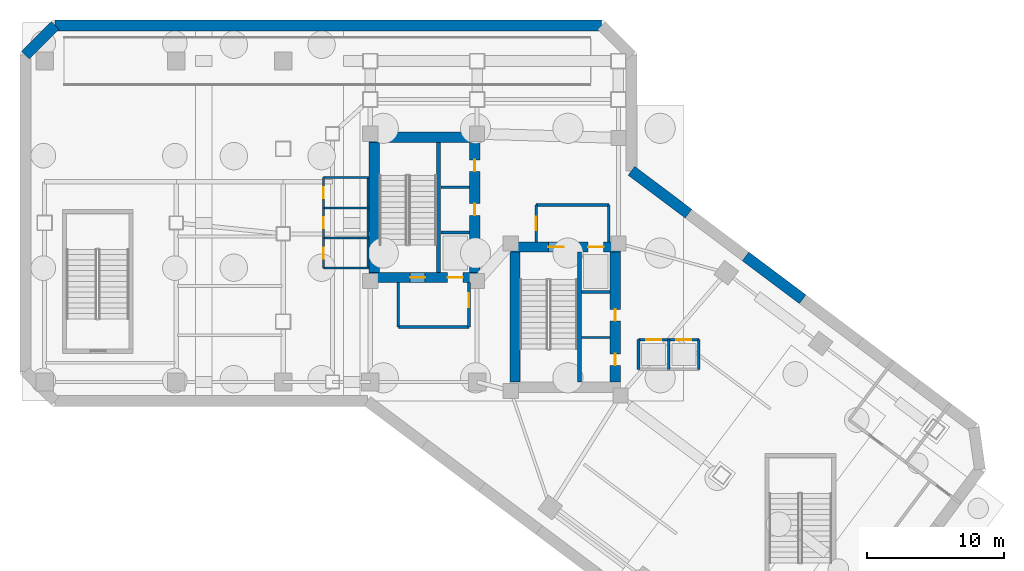
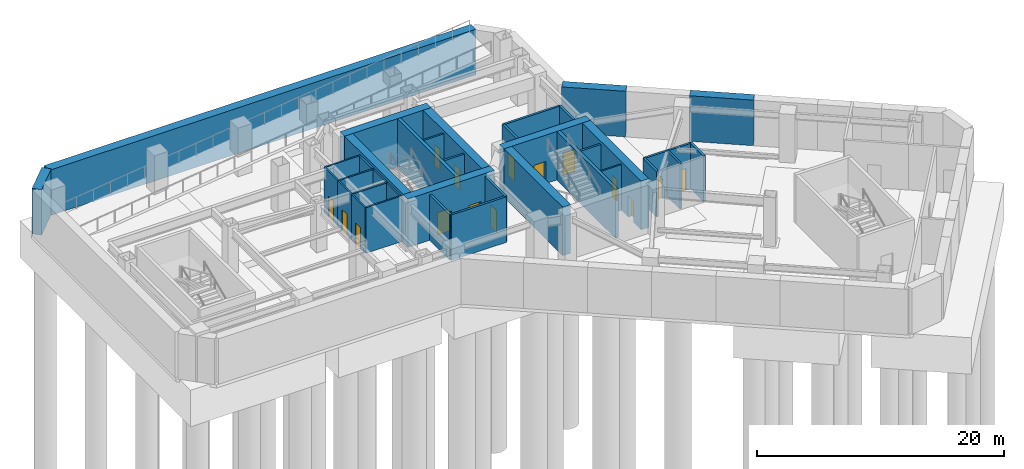
# One storey, part 4 of 9: 35 walls, 15 doors, 15 openings.
"""IFC4 building model written with IfcOpenShell, lengths in metres."""

from ifc_helpers import new_model, si_unit, direction, frame, frame_2d, origin, place, context, subcontext, project, spatial, rectangle, extrude, material, layer, layer_set, type_object, element, fill, save


model = new_model("IFC4")

# Units and contexts
model_context = context("Model", 3, precision=1e-05, world=origin(), true_north=direction((0.0, 1.0)))
body_context = subcontext(model_context, "Body", "Model", "MODEL_VIEW")
ifc_project = project(units=[si_unit("LENGTHUNIT", "METRE"), si_unit("AREAUNIT", "SQUARE_METRE"), si_unit("VOLUMEUNIT", "CUBIC_METRE"), si_unit("PLANEANGLEUNIT", "RADIAN"), si_unit("MASSUNIT", "GRAM", prefix="KILO")], contexts=[model_context])

# Site, building, storey
site_placement = place(None, origin())
site = spatial("IfcSite", under=ifc_project, at=site_placement, CompositionType="ELEMENT")
building_placement = place(site_placement, origin())
building = spatial("IfcBuilding", under=site, at=building_placement, Name="Hatsunagi Terrace Concourse", CompositionType="ELEMENT")
storey_placement = place(building_placement, frame((0.0, 0.0, -9.60009765625)))
storey = spatial("IfcBuildingStorey", under=building, at=storey_placement, Name="B02", CompositionType="ELEMENT", Elevation=-9.60009765625)

# Walls
ifc_material_1 = material(Name="Concrete Fc48", Category="concrete")
ifc_layer_1 = layer(ifc_material_1, 0.800048828125)
ifc_layer_set_1 = layer_set([ifc_layer_1], Name="BasementRetainingWall_Fc48_800")
wall_type_1 = type_object("IfcWallType", Name="BasementRetainingWall_Fc48_800", PredefinedType="SHEAR", material=ifc_layer_set_1)
wall_1_placement = place(storey_placement, frame((44.60009765625, 40.60009765625, 0.0), z_axis=(0.0, 0.0, 1.0), x_axis=(0.799983113496, -0.600022514679, 0.0)))
element("IfcWall", 1, at=wall_1_placement, inside=storey, type_object=wall_type_1, Name="Basement Retaining Wall B02-01-1", PredefinedType="SHEAR", context=body_context, shape_type="SweptSolid", body=[
    extrude(rectangle(XDim=5.204833984375, YDim=0.800048828125, at=frame_2d((2.6025390625, 0.0))), origin(), (0.0, 0.0, 1.0), 4.5),
])
wall_2_placement = place(storey_placement, frame((52.928955078125, 34.35302734375, 0.0), z_axis=(0.0, 0.0, 1.0), x_axis=(0.80006752701, -0.59990995343, 0.0)))
element("IfcWall", 2, at=wall_2_placement, inside=storey, type_object=wall_type_1, Name="Basement Retaining Wall B02-01-3", PredefinedType="SHEAR", context=body_context, shape_type="SweptSolid", body=[
    extrude(rectangle(XDim=5.205810546875, YDim=0.800048828125, at=frame_2d((2.60302734375, 0.0))), origin(), (0.0, 0.0, 1.0), 4.5),
])
wall_3_placement = place(storey_placement, frame((0.39990234375, 49.033935546875, 0.0), z_axis=(0.0, 0.0, 1.0), x_axis=(0.707106781187, 0.707106781187, 0.0)))
element("IfcWall", 3, at=wall_3_placement, inside=storey, type_object=wall_type_1, Name="Basement Retaining Wall B02-09", PredefinedType="SHEAR", context=body_context, shape_type="SweptSolid", body=[
    extrude(rectangle(XDim=3.063232421875, YDim=0.800048828125, at=frame_2d((1.53173828125, 0.0))), origin(), (0.0, 0.0, 1.0), 4.5),
])
wall_4_placement = place(storey_placement, frame((2.56591796875, 51.199951171875, 0.0), z_axis=(0.0, 0.0, 1.0), x_axis=(1.0, 0.0, 0.0)))
element("IfcWall", 4, at=wall_4_placement, inside=storey, type_object=wall_type_1, Name="Basement Retaining Wall B02-10", PredefinedType="SHEAR", context=body_context, shape_type="SweptSolid", body=[
    extrude(rectangle(XDim=39.8681640625, YDim=0.800048828125, at=frame_2d((19.93408203125, 0.0))), origin(), (0.0, 0.0, 1.0), 4.5),
])

# Wall, openings, doors
ifc_material_2 = material(Name="Concrete Fc60", Category="concrete")
ifc_layer_2 = layer(ifc_material_2, 0.75)
ifc_layer_set_2 = layer_set([ifc_layer_2], Name="CoreShearWall_Fc60_750")
wall_type_2 = type_object("IfcWallType", Name="CoreShearWall_Fc60_750", PredefinedType="SHEAR", material=ifc_layer_set_2)
wall_5_placement = place(storey_placement, frame((25.469970703125, 32.81494140625, 0.0), z_axis=(0.0, 0.0, 1.0), x_axis=(1.0, 0.0, 0.0)))
wall_5 = element("IfcWall", 5, at=wall_5_placement, inside=storey, type_object=wall_type_2, Name="Core A Shear Wall S B02", PredefinedType="SHEAR", context=body_context, shape_type="SweptSolid", body=[
    extrude(rectangle(XDim=8.080078125, YDim=0.75, at=frame_2d((4.0400390625, 0.0))), origin(), (0.0, 0.0, 1.0), 4.800048828125),
])
opening_1_placement = place(wall_5_placement, frame((2.97998046875, 0.0, 0.0)))
opening_1 = element("IfcOpeningElement", 6, at=opening_1_placement, cuts=wall_5, Name="Opening DR-110S", PredefinedType="OPENING", context=body_context, shape_type="SweptSolid", body=[
    extrude(rectangle(XDim=1.10009765625, YDim=2.199951171875, at=frame_2d((0.550048828125, 1.10009765625))), frame((0.0, 0.385009765625, 0.0), z_axis=(0.0, -1.0, 0.0), x_axis=(1.0, 0.0, 0.0)), (0.0, 0.0, 1.0), 0.77001953125),
])
opening_2_placement = place(wall_5_placement, frame((5.72998046875, 0.0, 0.0)))
opening_2 = element("IfcOpeningElement", 7, at=opening_2_placement, cuts=wall_5, Name="Opening LD-01", PredefinedType="OPENING", context=body_context, shape_type="SweptSolid", body=[
    extrude(rectangle(XDim=1.10009765625, YDim=2.14990234375, at=frame_2d((0.550048828125, 1.074951171875))), frame((0.0, 0.385009765625, 0.0), z_axis=(0.0, -1.0, 0.0), x_axis=(1.0, 0.0, 0.0)), (0.0, 0.0, 1.0), 0.77001953125),
])
ifc_material_3 = material(Name="Stainless steel", Category="steel")
door_type_1 = type_object("IfcDoorType", Name="LiftLandingDoor_LD01", OperationType="SLIDING_TO_LEFT", PredefinedType="USERDEFINED", material=ifc_material_3)
door_1_placement = place(opening_2_placement, origin())
door_1 = element("IfcDoor", 8, at=door_1_placement, inside=storey, type_object=door_type_1, Name="Lift landing door FF-01 B02", ObjectType="SLIDING_LANDING_DOOR", OperationType="SLIDING_TO_LEFT", OverallHeight=2.14990234375, OverallWidth=1.10009765625, PredefinedType="USERDEFINED", context=body_context, shape_type="SweptSolid", body=[
    extrude(rectangle(XDim=1.10009765625, YDim=2.14990234375, at=frame_2d((0.550048828125, 1.074951171875))), frame((0.0, 0.02490234375, 0.0), z_axis=(0.0, -1.0, 0.0), x_axis=(1.0, 0.0, 0.0)), (0.0, 0.0, 1.0), 0.050048828125),
])
fill(opening_2, door_1)
ifc_material_4 = material(Name="Painted steel", Category="steel")
door_type_2 = type_object("IfcDoorType", Name="StairFireDoor_EI60_1100", OperationType="NOTDEFINED", PredefinedType="DOOR", material=ifc_material_4)
door_2_placement = place(opening_1_placement, origin())
door_2 = element("IfcDoor", 9, at=door_2_placement, inside=storey, type_object=door_type_2, Name="Stair ST-A Exit Door B02", OperationType="SINGLE_SWING_LEFT", OverallHeight=2.199951171875, OverallWidth=1.10009765625, PredefinedType="DOOR", context=body_context, shape_type="SweptSolid", body=[
    extrude(rectangle(XDim=1.10009765625, YDim=2.199951171875, at=frame_2d((0.550048828125, 1.10009765625))), frame((0.0, 0.02490234375, 0.0), z_axis=(0.0, -1.0, 0.0), x_axis=(1.0, 0.0, 0.0)), (0.0, 0.0, 1.0), 0.050048828125),
])
fill(opening_1, door_2)

# Walls
wall_6_placement = place(storey_placement, frame((25.469970703125, 43.044921875, 0.0), z_axis=(0.0, 0.0, 1.0), x_axis=(1.0, 0.0, 0.0)))
element("IfcWall", 10, at=wall_6_placement, inside=storey, type_object=wall_type_2, Name="Core A Shear Wall N B02", PredefinedType="SHEAR", context=body_context, shape_type="SweptSolid", body=[
    extrude(rectangle(XDim=8.080078125, YDim=0.75, at=frame_2d((4.0400390625, 0.0))), origin(), (0.0, 0.0, 1.0), 4.800048828125),
])
wall_7_placement = place(storey_placement, frame((25.844970703125, 33.18994140625, 0.0), z_axis=(0.0, 0.0, 1.0), x_axis=(0.0, 1.0, 0.0)))
element("IfcWall", 11, at=wall_7_placement, inside=storey, type_object=wall_type_2, Name="Core A Shear Wall W B02", PredefinedType="SHEAR", context=body_context, shape_type="SweptSolid", body=[
    extrude(rectangle(XDim=9.47998046875, YDim=0.75, at=frame_2d((4.739990234375, 0.0))), origin(), (0.0, 0.0, 1.0), 4.800048828125),
])

# Wall, openings, doors
wall_8_placement = place(storey_placement, frame((33.175048828125, 33.18994140625, 0.0), z_axis=(0.0, 0.0, 1.0), x_axis=(0.0, 1.0, 0.0)))
wall_8 = element("IfcWall", 12, at=wall_8_placement, inside=storey, type_object=wall_type_2, Name="Core A Shear Wall E B02", PredefinedType="SHEAR", context=body_context, shape_type="SweptSolid", body=[
    extrude(rectangle(XDim=9.47998046875, YDim=0.75, at=frame_2d((4.739990234375, 0.0))), origin(), (0.0, 0.0, 1.0), 4.800048828125),
])
opening_3_placement = place(wall_8_placement, frame((4.159912109375, 0.0, 0.0)))
opening_3 = element("IfcOpeningElement", 13, at=opening_3_placement, cuts=wall_8, Name="Opening DR-085", PredefinedType="OPENING", context=body_context, shape_type="SweptSolid", body=[
    extrude(rectangle(XDim=0.85009765625, YDim=2.080078125, at=frame_2d((0.425048828125, 1.0400390625))), frame((0.0, 0.385009765625, 0.0), z_axis=(0.0, -1.0, 0.0), x_axis=(1.0, 0.0, 0.0)), (0.0, 0.0, 1.0), 0.77001953125),
])
opening_4_placement = place(wall_8_placement, frame((7.360107421875, 0.0, 0.0)))
opening_4 = element("IfcOpeningElement", 14, at=opening_4_placement, cuts=wall_8, Name="Opening DR-085", PredefinedType="OPENING", context=body_context, shape_type="SweptSolid", body=[
    extrude(rectangle(XDim=0.85009765625, YDim=2.080078125, at=frame_2d((0.425048828125, 1.0400390625))), frame((0.0, 0.385009765625, 0.0), z_axis=(0.0, -1.0, 0.0), x_axis=(1.0, 0.0, 0.0)), (0.0, 0.0, 1.0), 0.77001953125),
])
ifc_material_5 = material(Name="Painted steel", Category="steel")
door_type_3 = type_object("IfcDoorType", Name="RiserAccessDoor_EI60_850", OperationType="NOTDEFINED", PredefinedType="DOOR", material=ifc_material_5)
door_3_placement = place(opening_3_placement, origin())
door_3 = element("IfcDoor", 15, at=door_3_placement, inside=storey, type_object=door_type_3, Name="Core A Riser Door B02-1", OperationType="SINGLE_SWING_LEFT", OverallHeight=2.080078125, OverallWidth=0.85009765625, PredefinedType="DOOR", context=body_context, shape_type="SweptSolid", body=[
    extrude(rectangle(XDim=0.85009765625, YDim=2.080078125, at=frame_2d((0.425048828125, 1.0400390625))), frame((0.0, 0.02490234375, 0.0), z_axis=(0.0, -1.0, 0.0), x_axis=(1.0, 0.0, 0.0)), (0.0, 0.0, 1.0), 0.050048828125),
])
fill(opening_3, door_3)
door_4_placement = place(opening_4_placement, origin())
door_4 = element("IfcDoor", 16, at=door_4_placement, inside=storey, type_object=door_type_3, Name="Core A Riser Door B02-2", OperationType="SINGLE_SWING_LEFT", OverallHeight=2.080078125, OverallWidth=0.85009765625, PredefinedType="DOOR", context=body_context, shape_type="SweptSolid", body=[
    extrude(rectangle(XDim=0.85009765625, YDim=2.080078125, at=frame_2d((0.425048828125, 1.0400390625))), frame((0.0, 0.02490234375, 0.0), z_axis=(0.0, -1.0, 0.0), x_axis=(1.0, 0.0, 0.0)), (0.0, 0.0, 1.0), 0.050048828125),
])
fill(opening_4, door_4)

wall_9_placement = place(storey_placement, frame((35.739990234375, 35.044921875, 0.0), z_axis=(0.0, 0.0, 1.0), x_axis=(1.0, 0.0, 0.0)))
wall_9 = element("IfcWall", 17, at=wall_9_placement, inside=storey, type_object=wall_type_2, Name="Core B Shear Wall N B02", PredefinedType="SHEAR", context=body_context, shape_type="SweptSolid", body=[
    extrude(rectangle(XDim=8.06005859375, YDim=0.75, at=frame_2d((4.030029296875, 0.0))), origin(), (0.0, 0.0, 1.0), 4.800048828125),
])
opening_5_placement = place(wall_9_placement, frame((2.81005859375, 0.0, 0.0)))
opening_5 = element("IfcOpeningElement", 18, at=opening_5_placement, cuts=wall_9, Name="Opening DR-110S", PredefinedType="OPENING", context=body_context, shape_type="SweptSolid", body=[
    extrude(rectangle(XDim=1.10009765625, YDim=2.199951171875, at=frame_2d((0.550048828125, 1.10009765625))), frame((0.0, 0.385009765625, 0.0), z_axis=(0.0, -1.0, 0.0), x_axis=(1.0, 0.0, 0.0)), (0.0, 0.0, 1.0), 0.77001953125),
])
opening_6_placement = place(wall_9_placement, frame((5.7099609375, 0.0, 0.0)))
opening_6 = element("IfcOpeningElement", 19, at=opening_6_placement, cuts=wall_9, Name="Opening LD-02", PredefinedType="OPENING", context=body_context, shape_type="SweptSolid", body=[
    extrude(rectangle(XDim=1.1201171875, YDim=2.14990234375, at=frame_2d((0.56005859375, 1.074951171875))), frame((0.0, 0.385009765625, 0.0), z_axis=(0.0, -1.0, 0.0), x_axis=(1.0, 0.0, 0.0)), (0.0, 0.0, 1.0), 0.77001953125),
])
ifc_material_6 = material(Name="Stainless steel", Category="steel")
door_type_4 = type_object("IfcDoorType", Name="LiftLandingDoor_LD02", OperationType="SLIDING_TO_RIGHT", PredefinedType="USERDEFINED", material=ifc_material_6)
door_5_placement = place(opening_6_placement, origin())
door_5 = element("IfcDoor", 20, at=door_5_placement, inside=storey, type_object=door_type_4, Name="Lift landing door FF-02 B02", ObjectType="SLIDING_LANDING_DOOR", OperationType="SLIDING_TO_RIGHT", OverallHeight=2.14990234375, OverallWidth=1.1201171875, PredefinedType="USERDEFINED", context=body_context, shape_type="SweptSolid", body=[
    extrude(rectangle(XDim=1.1201171875, YDim=2.14990234375, at=frame_2d((0.56005859375, 1.074951171875))), frame((0.0, 0.02490234375, 0.0), z_axis=(0.0, -1.0, 0.0), x_axis=(1.0, 0.0, 0.0)), (0.0, 0.0, 1.0), 0.050048828125),
])
fill(opening_6, door_5)
door_6_placement = place(opening_5_placement, origin())
door_6 = element("IfcDoor", 21, at=door_6_placement, inside=storey, type_object=door_type_2, Name="Stair ST-B Exit Door B02", OperationType="SINGLE_SWING_RIGHT", OverallHeight=2.199951171875, OverallWidth=1.10009765625, PredefinedType="DOOR", context=body_context, shape_type="SweptSolid", body=[
    extrude(rectangle(XDim=1.10009765625, YDim=2.199951171875, at=frame_2d((0.550048828125, 1.10009765625))), frame((0.0, 0.02490234375, 0.0), z_axis=(0.0, -1.0, 0.0), x_axis=(1.0, 0.0, 0.0)), (0.0, 0.0, 1.0), 0.050048828125),
])
fill(opening_5, door_6)

# Wall
wall_10_placement = place(storey_placement, frame((36.114990234375, 25.18994140625, 0.0), z_axis=(0.0, 0.0, 1.0), x_axis=(0.0, 1.0, 0.0)))
element("IfcWall", 22, at=wall_10_placement, inside=storey, type_object=wall_type_2, Name="Core B Shear Wall W B02", PredefinedType="SHEAR", context=body_context, shape_type="SweptSolid", body=[
    extrude(rectangle(XDim=9.47998046875, YDim=0.75, at=frame_2d((4.739990234375, 0.0))), origin(), (0.0, 0.0, 1.0), 4.800048828125),
])

# Wall, openings, doors
wall_11_placement = place(storey_placement, frame((43.425048828125, 25.18994140625, 0.0), z_axis=(0.0, 0.0, 1.0), x_axis=(0.0, 1.0, 0.0)))
wall_11 = element("IfcWall", 23, at=wall_11_placement, inside=storey, type_object=wall_type_2, Name="Core B Shear Wall E B02", PredefinedType="SHEAR", context=body_context, shape_type="SweptSolid", body=[
    extrude(rectangle(XDim=9.47998046875, YDim=0.75, at=frame_2d((4.739990234375, 0.0))), origin(), (0.0, 0.0, 1.0), 4.800048828125),
])
opening_7_placement = place(wall_11_placement, frame((1.2099609375, 0.0, 0.0)))
opening_7 = element("IfcOpeningElement", 24, at=opening_7_placement, cuts=wall_11, Name="Opening DR-085", PredefinedType="OPENING", context=body_context, shape_type="SweptSolid", body=[
    extrude(rectangle(XDim=0.85009765625, YDim=2.080078125, at=frame_2d((0.425048828125, 1.0400390625))), frame((0.0, 0.385009765625, 0.0), z_axis=(0.0, -1.0, 0.0), x_axis=(1.0, 0.0, 0.0)), (0.0, 0.0, 1.0), 0.77001953125),
])
opening_8_placement = place(wall_11_placement, frame((4.4599609375, 0.0, 0.0)))
opening_8 = element("IfcOpeningElement", 25, at=opening_8_placement, cuts=wall_11, Name="Opening DR-085", PredefinedType="OPENING", context=body_context, shape_type="SweptSolid", body=[
    extrude(rectangle(XDim=0.85009765625, YDim=2.080078125, at=frame_2d((0.425048828125, 1.0400390625))), frame((0.0, 0.385009765625, 0.0), z_axis=(0.0, -1.0, 0.0), x_axis=(1.0, 0.0, 0.0)), (0.0, 0.0, 1.0), 0.77001953125),
])
door_7_placement = place(opening_7_placement, origin())
door_7 = element("IfcDoor", 26, at=door_7_placement, inside=storey, type_object=door_type_3, Name="Core B Riser Door B02-1", OperationType="SINGLE_SWING_RIGHT", OverallHeight=2.080078125, OverallWidth=0.85009765625, PredefinedType="DOOR", context=body_context, shape_type="SweptSolid", body=[
    extrude(rectangle(XDim=0.85009765625, YDim=2.080078125, at=frame_2d((0.425048828125, 1.0400390625))), frame((0.0, 0.02490234375, 0.0), z_axis=(0.0, -1.0, 0.0), x_axis=(1.0, 0.0, 0.0)), (0.0, 0.0, 1.0), 0.050048828125),
])
fill(opening_7, door_7)
door_8_placement = place(opening_8_placement, origin())
door_8 = element("IfcDoor", 27, at=door_8_placement, inside=storey, type_object=door_type_3, Name="Core B Riser Door B02-2", OperationType="SINGLE_SWING_RIGHT", OverallHeight=2.080078125, OverallWidth=0.85009765625, PredefinedType="DOOR", context=body_context, shape_type="SweptSolid", body=[
    extrude(rectangle(XDim=0.85009765625, YDim=2.080078125, at=frame_2d((0.425048828125, 1.0400390625))), frame((0.0, 0.02490234375, 0.0), z_axis=(0.0, -1.0, 0.0), x_axis=(1.0, 0.0, 0.0)), (0.0, 0.0, 1.0), 0.050048828125),
])
fill(opening_8, door_8)

# Walls
ifc_material_7 = material(Name="Concrete Fc48", Category="concrete")
ifc_layer_3 = layer(ifc_material_7, 0.300048828125)
ifc_layer_set_3 = layer_set([ifc_layer_3], Name="CoreStairDivider_Fc48_300")
wall_type_3 = type_object("IfcWallType", Name="CoreStairDivider_Fc48_300", PredefinedType="SHEAR", material=ifc_layer_set_3)
for number, where, z_axis, x_axis, name in (
    (28, (30.5400390625, 33.18994140625, 0.0), (0.0, 0.0, 1.0), (0.0, 1.0, 0.0), "Core A Shear Wall D B02"),
    (29, (40.81005859375, 25.18994140625, 0.0), (0.0, 0.0, 1.0), (0.0, 1.0, 0.0), "Core B Shear Wall D B02"),
):
    element("IfcWall", number, at=place(storey_placement, frame(where, z_axis=z_axis, x_axis=x_axis)), inside=storey, type_object=wall_type_3, Name=name, PredefinedType="SHEAR", context=body_context, shape_type="SweptSolid", body=[
        extrude(rectangle(XDim=9.47998046875, YDim=0.300048828125, at=frame_2d((4.739990234375, 0.0))), origin(), (0.0, 0.0, 1.0), 4.800048828125),
    ])
ifc_material_8 = material(Name="Acoustic mineral board", Category="gypsum")
ifc_layer_4 = layer(ifc_material_8, 0.14990234375)
ifc_layer_set_4 = layer_set([ifc_layer_4], Name="PartitionWall_EI60_150")
wall_type_4 = type_object("IfcWallType", Name="PartitionWall_EI60_150", PredefinedType="PARTITIONING", material=ifc_layer_set_4)
wall_12_placement = place(storey_placement, frame((30.699951171875, 39.39990234375, 0.0), z_axis=(0.0, 0.0, 1.0), x_axis=(1.0, 0.0, 0.0)))
element("IfcWall", 30, at=wall_12_placement, inside=storey, type_object=wall_type_4, Name="Interior Partition IW-B02-002", PredefinedType="PARTITIONING", context=body_context, shape_type="SweptSolid", body=[
    extrude(rectangle(XDim=2.10009765625, YDim=0.14990234375, at=frame_2d((1.050048828125, 0.0))), origin(), (0.0, 0.0, 1.0), 4.5),
])
wall_13_placement = place(storey_placement, frame((40.969970703125, 28.449951171875, 0.0), z_axis=(0.0, 0.0, 1.0), x_axis=(1.0, 0.0, 0.0)))
element("IfcWall", 31, at=wall_13_placement, inside=storey, type_object=wall_type_4, Name="Interior Partition IW-B02-004", PredefinedType="PARTITIONING", context=body_context, shape_type="SweptSolid", body=[
    extrude(rectangle(XDim=2.080078125, YDim=0.14990234375, at=frame_2d((1.0400390625, 0.0))), origin(), (0.0, 0.0, 1.0), 4.5),
])
for number, where, z_axis, x_axis, name in (
    (32, (22.14990234375, 33.5, 0.0), (0.0, 0.0, 1.0), (1.0, 0.0, 0.0), "Interior Partition IW-B02-016"),
    (33, (22.14990234375, 40.10009765625, 0.0), (0.0, 0.0, 1.0), (1.0, 0.0, 0.0), "Interior Partition IW-B02-017"),
):
    element("IfcWall", number, at=place(storey_placement, frame(where, z_axis=z_axis, x_axis=x_axis)), inside=storey, type_object=wall_type_4, Name=name, PredefinedType="PARTITIONING", context=body_context, shape_type="SweptSolid", body=[
        extrude(rectangle(XDim=3.300048828125, YDim=0.14990234375, at=frame_2d((1.64990234375, 0.0))), origin(), (0.0, 0.0, 1.0), 4.5),
    ])
wall_14_placement = place(storey_placement, frame((25.39990234375, 33.5, 0.0), z_axis=(0.0, 0.0, 1.0), x_axis=(0.0, 1.0, 0.0)))
element("IfcWall", 34, at=wall_14_placement, inside=storey, type_object=wall_type_4, Name="Interior Partition IW-B02-018", PredefinedType="PARTITIONING", context=body_context, shape_type="SweptSolid", body=[
    extrude(rectangle(XDim=6.60009765625, YDim=0.14990234375, at=frame_2d((3.300048828125, 0.0))), origin(), (0.0, 0.0, 1.0), 4.5),
])
for number, where, z_axis, x_axis, name in (
    (35, (22.14990234375, 35.699951171875, 0.0), (0.0, 0.0, 1.0), (1.0, 0.0, 0.0), "Interior Partition IW-B02-019"),
    (36, (22.14990234375, 37.89990234375, 0.0), (0.0, 0.0, 1.0), (1.0, 0.0, 0.0), "Interior Partition IW-B02-020"),
):
    element("IfcWall", number, at=place(storey_placement, frame(where, z_axis=z_axis, x_axis=x_axis)), inside=storey, type_object=wall_type_4, Name=name, PredefinedType="PARTITIONING", context=body_context, shape_type="SweptSolid", body=[
        extrude(rectangle(XDim=3.300048828125, YDim=0.14990234375, at=frame_2d((1.64990234375, 0.0))), origin(), (0.0, 0.0, 1.0), 4.5),
    ])

# Wall, opening, door
wall_15_placement = place(storey_placement, frame((22.14990234375, 33.5, 0.0), z_axis=(0.0, 0.0, 1.0), x_axis=(0.0, 1.0, 0.0)))
wall_15 = element("IfcWall", 37, at=wall_15_placement, inside=storey, type_object=wall_type_4, Name="Interior Partition IW-B02-021", PredefinedType="PARTITIONING", context=body_context, shape_type="SweptSolid", body=[
    extrude(rectangle(XDim=2.199951171875, YDim=0.14990234375, at=frame_2d((1.10009765625, 0.0))), origin(), (0.0, 0.0, 1.0), 4.5),
])
opening_9_placement = place(wall_15_placement, frame((0.699951171875, 0.0, 0.0)))
opening_9 = element("IfcOpeningElement", 38, at=opening_9_placement, cuts=wall_15, Name="Opening DR-080", PredefinedType="OPENING", context=body_context, shape_type="SweptSolid", body=[
    extrude(rectangle(XDim=0.800048828125, YDim=2.06005859375, at=frame_2d((0.39990234375, 1.030029296875))), frame((0.0, 0.0849609375, 0.0), z_axis=(0.0, -1.0, 0.0), x_axis=(1.0, 0.0, 0.0)), (0.0, 0.0, 1.0), 0.169921875),
])
ifc_material_9 = material(Name="Hardwood timber", Category="wood")
door_type_5 = type_object("IfcDoorType", Name="BathroomDoor_800", OperationType="NOTDEFINED", PredefinedType="DOOR", material=ifc_material_9)
door_9_placement = place(opening_9_placement, origin())
door_9 = element("IfcDoor", 39, at=door_9_placement, inside=storey, type_object=door_type_5, Name="Accessible WC Door B02", OperationType="SINGLE_SWING_RIGHT", OverallHeight=2.06005859375, OverallWidth=0.800048828125, PredefinedType="DOOR", context=body_context, shape_type="SweptSolid", body=[
    extrude(rectangle(XDim=0.800048828125, YDim=2.06005859375, at=frame_2d((0.39990234375, 1.030029296875))), frame((0.0, 0.02490234375, 0.0), z_axis=(0.0, -1.0, 0.0), x_axis=(1.0, 0.0, 0.0)), (0.0, 0.0, 1.0), 0.050048828125),
])
fill(opening_9, door_9)

wall_16_placement = place(storey_placement, frame((22.14990234375, 35.699951171875, 0.0), z_axis=(0.0, 0.0, 1.0), x_axis=(0.0, 1.0, 0.0)))
wall_16 = element("IfcWall", 40, at=wall_16_placement, inside=storey, type_object=wall_type_4, Name="Interior Partition IW-B02-022", PredefinedType="PARTITIONING", context=body_context, shape_type="SweptSolid", body=[
    extrude(rectangle(XDim=2.199951171875, YDim=0.14990234375, at=frame_2d((1.10009765625, 0.0))), origin(), (0.0, 0.0, 1.0), 4.5),
])
opening_10_placement = place(wall_16_placement, frame((0.699951171875, 0.0, 0.0)))
opening_10 = element("IfcOpeningElement", 41, at=opening_10_placement, cuts=wall_16, Name="Opening DR-080", PredefinedType="OPENING", context=body_context, shape_type="SweptSolid", body=[
    extrude(rectangle(XDim=0.800048828125, YDim=2.06005859375, at=frame_2d((0.39990234375, 1.030029296875))), frame((0.0, 0.0849609375, 0.0), z_axis=(0.0, -1.0, 0.0), x_axis=(1.0, 0.0, 0.0)), (0.0, 0.0, 1.0), 0.169921875),
])
door_10_placement = place(opening_10_placement, origin())
door_10 = element("IfcDoor", 42, at=door_10_placement, inside=storey, type_object=door_type_5, Name="Female Restroom Door B02", OperationType="SINGLE_SWING_RIGHT", OverallHeight=2.06005859375, OverallWidth=0.800048828125, PredefinedType="DOOR", context=body_context, shape_type="SweptSolid", body=[
    extrude(rectangle(XDim=0.800048828125, YDim=2.06005859375, at=frame_2d((0.39990234375, 1.030029296875))), frame((0.0, 0.02490234375, 0.0), z_axis=(0.0, -1.0, 0.0), x_axis=(1.0, 0.0, 0.0)), (0.0, 0.0, 1.0), 0.050048828125),
])
fill(opening_10, door_10)

wall_17_placement = place(storey_placement, frame((22.14990234375, 37.89990234375, 0.0), z_axis=(0.0, 0.0, 1.0), x_axis=(0.0, 1.0, 0.0)))
wall_17 = element("IfcWall", 43, at=wall_17_placement, inside=storey, type_object=wall_type_4, Name="Interior Partition IW-B02-023", PredefinedType="PARTITIONING", context=body_context, shape_type="SweptSolid", body=[
    extrude(rectangle(XDim=2.2001953125, YDim=0.14990234375, at=frame_2d((1.10009765625, 0.0))), origin(), (0.0, 0.0, 1.0), 4.5),
])
opening_11_placement = place(wall_17_placement, frame((0.699951171875, 0.0, 0.0)))
opening_11 = element("IfcOpeningElement", 44, at=opening_11_placement, cuts=wall_17, Name="Opening DR-080", PredefinedType="OPENING", context=body_context, shape_type="SweptSolid", body=[
    extrude(rectangle(XDim=0.800048828125, YDim=2.06005859375, at=frame_2d((0.39990234375, 1.030029296875))), frame((0.0, 0.0849609375, 0.0), z_axis=(0.0, -1.0, 0.0), x_axis=(1.0, 0.0, 0.0)), (0.0, 0.0, 1.0), 0.169921875),
])
door_11_placement = place(opening_11_placement, origin())
door_11 = element("IfcDoor", 45, at=door_11_placement, inside=storey, type_object=door_type_5, Name="Male Restroom Door B02", OperationType="SINGLE_SWING_RIGHT", OverallHeight=2.06005859375, OverallWidth=0.800048828125, PredefinedType="DOOR", context=body_context, shape_type="SweptSolid", body=[
    extrude(rectangle(XDim=0.800048828125, YDim=2.06005859375, at=frame_2d((0.39990234375, 1.030029296875))), frame((0.0, 0.02490234375, 0.0), z_axis=(0.0, -1.0, 0.0), x_axis=(1.0, 0.0, 0.0)), (0.0, 0.0, 1.0), 0.050048828125),
])
fill(opening_11, door_11)

# Walls
ifc_material_10 = material(Name="Acoustic mineral board", Category="gypsum")
ifc_layer_5 = layer(ifc_material_10, 0.199951171875)
ifc_layer_set_5 = layer_set([ifc_layer_5], Name="ShaftWall_EI120_200")
wall_type_5 = type_object("IfcWallType", Name="ShaftWall_EI120_200", PredefinedType="STANDARD", material=ifc_layer_set_5)
wall_18_placement = place(storey_placement, frame((30.699951171875, 36.10009765625, 0.0), z_axis=(0.0, 0.0, 1.0), x_axis=(1.0, 0.0, 0.0)))
element("IfcWall", 46, at=wall_18_placement, inside=storey, type_object=wall_type_5, Name="Interior Partition IW-B02-001", PredefinedType="STANDARD", context=body_context, shape_type="SweptSolid", body=[
    extrude(rectangle(XDim=2.10009765625, YDim=0.199951171875, at=frame_2d((1.050048828125, 0.0))), origin(), (0.0, 0.0, 1.0), 4.5),
])
wall_19_placement = place(storey_placement, frame((40.969970703125, 31.760009765625, 0.0), z_axis=(0.0, 0.0, 1.0), x_axis=(1.0, 0.0, 0.0)))
element("IfcWall", 47, at=wall_19_placement, inside=storey, type_object=wall_type_5, Name="Interior Partition IW-B02-003", PredefinedType="STANDARD", context=body_context, shape_type="SweptSolid", body=[
    extrude(rectangle(XDim=2.080078125, YDim=0.199951171875, at=frame_2d((1.0400390625, 0.0))), origin(), (0.0, 0.0, 1.0), 4.5),
])
wall_20_placement = place(storey_placement, frame((27.60009765625, 29.199951171875, 0.0), z_axis=(0.0, 0.0, 1.0), x_axis=(1.0, 0.0, 0.0)))
element("IfcWall", 48, at=wall_20_placement, inside=storey, type_object=wall_type_5, Name="Interior Partition IW-B02-005", PredefinedType="STANDARD", context=body_context, shape_type="SweptSolid", body=[
    extrude(rectangle(XDim=5.14990234375, YDim=0.199951171875, at=frame_2d((2.574951171875, 0.0))), origin(), (0.0, 0.0, 1.0), 4.5),
])
wall_21_placement = place(storey_placement, frame((27.60009765625, 29.199951171875, 0.0), z_axis=(0.0, 0.0, 1.0), x_axis=(0.0, 1.0, 0.0)))
element("IfcWall", 49, at=wall_21_placement, inside=storey, type_object=wall_type_5, Name="Interior Partition IW-B02-006", PredefinedType="STANDARD", context=body_context, shape_type="SweptSolid", body=[
    extrude(rectangle(XDim=3.239990234375, YDim=0.199951171875, at=frame_2d((1.6201171875, 0.0))), origin(), (0.0, 0.0, 1.0), 4.5),
])

# Wall, opening, door
wall_22_placement = place(storey_placement, frame((32.75, 29.199951171875, 0.0), z_axis=(0.0, 0.0, 1.0), x_axis=(0.0, 1.0, 0.0)))
wall_22 = element("IfcWall", 50, at=wall_22_placement, inside=storey, type_object=wall_type_5, Name="Interior Partition IW-B02-007", PredefinedType="STANDARD", context=body_context, shape_type="SweptSolid", body=[
    extrude(rectangle(XDim=3.239990234375, YDim=0.199951171875, at=frame_2d((1.6201171875, 0.0))), origin(), (0.0, 0.0, 1.0), 4.5),
])
opening_12_placement = place(wall_22_placement, frame((1.449951171875, 0.0, 0.0)))
opening_12 = element("IfcOpeningElement", 51, at=opening_12_placement, cuts=wall_22, Name="Opening DR-100F", PredefinedType="OPENING", context=body_context, shape_type="SweptSolid", body=[
    extrude(rectangle(XDim=1.0, YDim=2.199951171875, at=frame_2d((0.5, 1.10009765625))), frame((0.0, 0.10986328125, 0.0), z_axis=(0.0, -1.0, 0.0), x_axis=(1.0, 0.0, 0.0)), (0.0, 0.0, 1.0), 0.219970703125),
])
ifc_material_11 = material(Name="Painted steel", Category="steel")
door_type_6 = type_object("IfcDoorType", Name="FireDoor_EI60_1000", OperationType="NOTDEFINED", PredefinedType="DOOR", material=ifc_material_11)
door_12_placement = place(opening_12_placement, origin())
door_12 = element("IfcDoor", 52, at=door_12_placement, inside=storey, type_object=door_type_6, Name="Firefighting Lobby A Door B02", OperationType="SINGLE_SWING_RIGHT", OverallHeight=2.199951171875, OverallWidth=1.0, PredefinedType="DOOR", context=body_context, shape_type="SweptSolid", body=[
    extrude(rectangle(XDim=1.0, YDim=2.199951171875, at=frame_2d((0.5, 1.10009765625))), frame((0.0, 0.02490234375, 0.0), z_axis=(0.0, -1.0, 0.0), x_axis=(1.0, 0.0, 0.0)), (0.0, 0.0, 1.0), 0.050048828125),
])
fill(opening_12, door_12)

# Walls
wall_23_placement = place(storey_placement, frame((37.64990234375, 38.10009765625, 0.0), z_axis=(0.0, 0.0, 1.0), x_axis=(1.0, 0.0, 0.0)))
element("IfcWall", 53, at=wall_23_placement, inside=storey, type_object=wall_type_5, Name="Interior Partition IW-B02-008", PredefinedType="STANDARD", context=body_context, shape_type="SweptSolid", body=[
    extrude(rectangle(XDim=5.300048828125, YDim=0.199951171875, at=frame_2d((2.64990234375, 0.0))), origin(), (0.0, 0.0, 1.0), 4.5),
])
wall_24_placement = place(storey_placement, frame((42.949951171875, 35.419921875, 0.0), z_axis=(0.0, 0.0, 1.0), x_axis=(0.0, 1.0, 0.0)))
element("IfcWall", 54, at=wall_24_placement, inside=storey, type_object=wall_type_5, Name="Interior Partition IW-B02-009", PredefinedType="STANDARD", context=body_context, shape_type="SweptSolid", body=[
    extrude(rectangle(XDim=2.68017578125, YDim=0.199951171875, at=frame_2d((1.340087890625, 0.0))), origin(), (0.0, 0.0, 1.0), 4.5),
])

# Wall, opening, door
wall_25_placement = place(storey_placement, frame((37.64990234375, 35.419921875, 0.0), z_axis=(0.0, 0.0, 1.0), x_axis=(0.0, 1.0, 0.0)))
wall_25 = element("IfcWall", 55, at=wall_25_placement, inside=storey, type_object=wall_type_5, Name="Interior Partition IW-B02-010", PredefinedType="STANDARD", context=body_context, shape_type="SweptSolid", body=[
    extrude(rectangle(XDim=2.68017578125, YDim=0.199951171875, at=frame_2d((1.340087890625, 0.0))), origin(), (0.0, 0.0, 1.0), 4.5),
])
opening_13_placement = place(wall_25_placement, frame((0.840087890625, 0.0, 0.0)))
opening_13 = element("IfcOpeningElement", 56, at=opening_13_placement, cuts=wall_25, Name="Opening DR-100F", PredefinedType="OPENING", context=body_context, shape_type="SweptSolid", body=[
    extrude(rectangle(XDim=1.0, YDim=2.199951171875, at=frame_2d((0.5, 1.10009765625))), frame((0.0, 0.10986328125, 0.0), z_axis=(0.0, -1.0, 0.0), x_axis=(1.0, 0.0, 0.0)), (0.0, 0.0, 1.0), 0.219970703125),
])
door_13_placement = place(opening_13_placement, origin())
door_13 = element("IfcDoor", 57, at=door_13_placement, inside=storey, type_object=door_type_6, Name="Firefighting Lobby B Door B02", OperationType="SINGLE_SWING_RIGHT", OverallHeight=2.199951171875, OverallWidth=1.0, PredefinedType="DOOR", context=body_context, shape_type="SweptSolid", body=[
    extrude(rectangle(XDim=1.0, YDim=2.199951171875, at=frame_2d((0.5, 1.10009765625))), frame((0.0, 0.02490234375, 0.0), z_axis=(0.0, -1.0, 0.0), x_axis=(1.0, 0.0, 0.0)), (0.0, 0.0, 1.0), 0.050048828125),
])
fill(opening_13, door_13)

# Walls
for number, where, z_axis, x_axis, name in (
    (58, (45.1201171875, 26.1201171875, 0.0), (0.0, 0.0, 1.0), (0.0, 1.0, 0.0), "Interior Partition IW-B02-012"),
    (59, (49.52001953125, 26.1201171875, 0.0), (0.0, 0.0, 1.0), (0.0, 1.0, 0.0), "Interior Partition IW-B02-013"),
    (60, (47.320068359375, 26.1201171875, 0.0), (0.0, 0.0, 1.0), (0.0, 1.0, 0.0), "Interior Partition IW-B02-014"),
):
    element("IfcWall", number, at=place(storey_placement, frame(where, z_axis=z_axis, x_axis=x_axis)), inside=storey, type_object=wall_type_5, Name=name, PredefinedType="STANDARD", context=body_context, shape_type="SweptSolid", body=[
        extrude(rectangle(XDim=2.159912109375, YDim=0.199951171875, at=frame_2d((1.080078125, 0.0))), origin(), (0.0, 0.0, 1.0), 4.5),
    ])

# Wall, openings, doors
wall_26_placement = place(storey_placement, frame((45.1201171875, 28.280029296875, 0.0), z_axis=(0.0, 0.0, 1.0), x_axis=(1.0, 0.0, 0.0)))
wall_26 = element("IfcWall", 61, at=wall_26_placement, inside=storey, type_object=wall_type_5, Name="Interior Partition IW-B02-015", PredefinedType="STANDARD", context=body_context, shape_type="SweptSolid", body=[
    extrude(rectangle(XDim=4.39990234375, YDim=0.199951171875, at=frame_2d((2.199951171875, 0.0))), origin(), (0.0, 0.0, 1.0), 4.5),
])
opening_14_placement = place(wall_26_placement, frame((0.56005859375, 0.0, 0.0)))
opening_14 = element("IfcOpeningElement", 62, at=opening_14_placement, cuts=wall_26, Name="Opening LD-03", PredefinedType="OPENING", context=body_context, shape_type="SweptSolid", body=[
    extrude(rectangle(XDim=1.080078125, YDim=2.14990234375, at=frame_2d((0.5400390625, 1.074951171875))), frame((0.0, 0.10986328125, 0.0), z_axis=(0.0, -1.0, 0.0), x_axis=(1.0, 0.0, 0.0)), (0.0, 0.0, 1.0), 0.219970703125),
])
opening_15_placement = place(wall_26_placement, frame((2.760009765625, 0.0, 0.0)))
opening_15 = element("IfcOpeningElement", 63, at=opening_15_placement, cuts=wall_26, Name="Opening LD-03", PredefinedType="OPENING", context=body_context, shape_type="SweptSolid", body=[
    extrude(rectangle(XDim=1.080078125, YDim=2.14990234375, at=frame_2d((0.5400390625, 1.074951171875))), frame((0.0, 0.10986328125, 0.0), z_axis=(0.0, -1.0, 0.0), x_axis=(1.0, 0.0, 0.0)), (0.0, 0.0, 1.0), 0.219970703125),
])
ifc_material_12 = material(Name="Stainless steel", Category="steel")
door_type_7 = type_object("IfcDoorType", Name="LiftLandingDoor_LD03", OperationType="SLIDING_TO_LEFT", PredefinedType="USERDEFINED", material=ifc_material_12)
door_14_placement = place(opening_14_placement, origin())
door_14 = element("IfcDoor", 64, at=door_14_placement, inside=storey, type_object=door_type_7, Name="Lift landing door PL-09 B02", ObjectType="SLIDING_LANDING_DOOR", OperationType="SLIDING_TO_LEFT", OverallHeight=2.14990234375, OverallWidth=1.080078125, PredefinedType="USERDEFINED", context=body_context, shape_type="SweptSolid", body=[
    extrude(rectangle(XDim=1.080078125, YDim=2.14990234375, at=frame_2d((0.5400390625, 1.074951171875))), frame((0.0, 0.02490234375, 0.0), z_axis=(0.0, -1.0, 0.0), x_axis=(1.0, 0.0, 0.0)), (0.0, 0.0, 1.0), 0.050048828125),
])
fill(opening_14, door_14)
door_15_placement = place(opening_15_placement, origin())
door_15 = element("IfcDoor", 65, at=door_15_placement, inside=storey, type_object=door_type_7, Name="Lift landing door PL-10 B02", ObjectType="SLIDING_LANDING_DOOR", OperationType="SLIDING_TO_LEFT", OverallHeight=2.14990234375, OverallWidth=1.080078125, PredefinedType="USERDEFINED", context=body_context, shape_type="SweptSolid", body=[
    extrude(rectangle(XDim=1.080078125, YDim=2.14990234375, at=frame_2d((0.5400390625, 1.074951171875))), frame((0.0, 0.02490234375, 0.0), z_axis=(0.0, -1.0, 0.0), x_axis=(1.0, 0.0, 0.0)), (0.0, 0.0, 1.0), 0.050048828125),
])
fill(opening_15, door_15)

save(model, "model.ifc")
